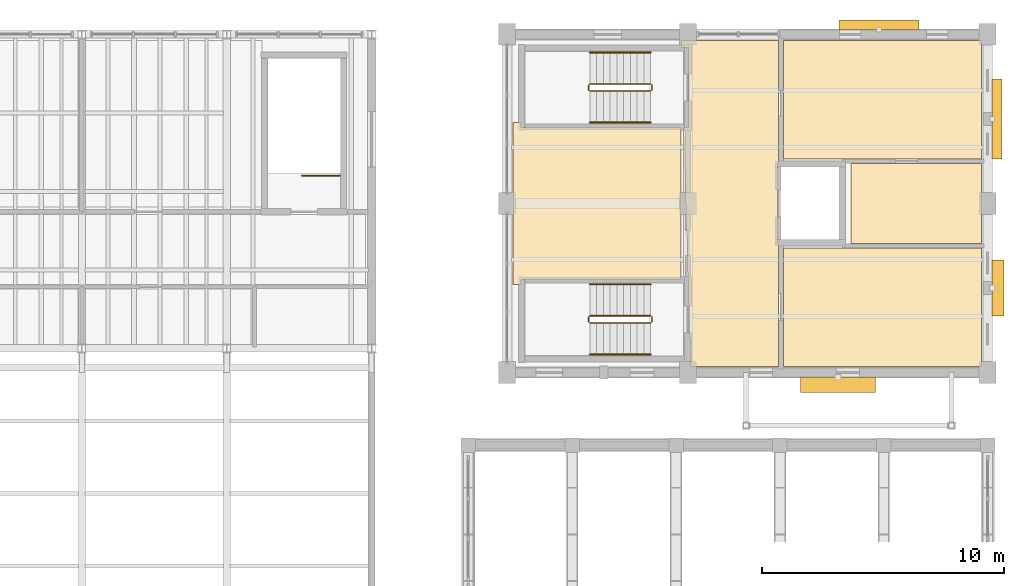
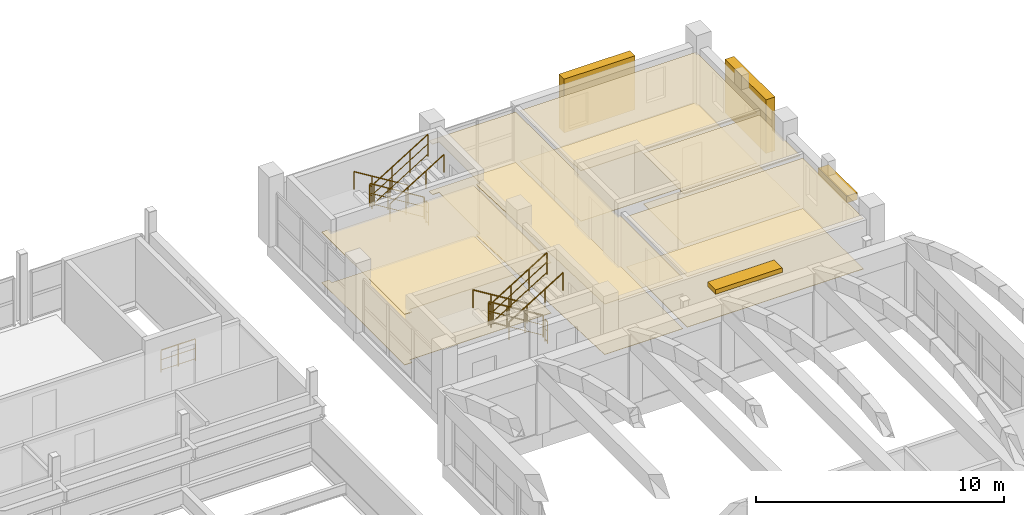
# One storey, part 77 of 77: 13 railings, 10 coverings, 4 shading devices.
"""IFC4 building model written with IfcOpenShell, lengths in metres."""

from ifc_helpers import new_model, si_unit, direction, frame, origin, origin_2d, place, context, subcontext, project, spatial, polyline, rectangle, circle, outline, extrude, material, layer, layer_set, type_object, element, save


model = new_model("IFC4")

# Units and contexts
model_context = context("Model", 3, precision=1e-05, world=origin(), true_north=direction((0.0, 1.0)))
body_context = subcontext(model_context, "Body", "Model", "MODEL_VIEW")
ifc_project = project(units=[si_unit("LENGTHUNIT", "METRE"), si_unit("AREAUNIT", "SQUARE_METRE"), si_unit("VOLUMEUNIT", "CUBIC_METRE"), si_unit("PLANEANGLEUNIT", "RADIAN"), si_unit("MASSUNIT", "GRAM", prefix="KILO")], contexts=[model_context])

# Site, building, storey
site_placement = place(None, origin())
site = spatial("IfcSite", under=ifc_project, at=site_placement, CompositionType="ELEMENT")
building_placement = place(site_placement, origin())
building = spatial("IfcBuilding", under=site, at=building_placement, Name="Trellovar Central Fire Station", CompositionType="ELEMENT")
storey_placement = place(building_placement, frame((0.0, 0.0, 5.85009765625)))
storey = spatial("IfcBuildingStorey", under=building, at=storey_placement, Name="L02", CompositionType="ELEMENT", Elevation=5.85009765625)

# Coverings
ifc_material_1 = material(Name="Perforated acoustic mineral fiber ceiling tile", Category="mineral")
ifc_layer_1 = layer(ifc_material_1, 0.02490234375)
ifc_layer_set_1 = layer_set([ifc_layer_1], Name="Perforated acoustic mineral fiber ceiling tile")
covering_type_1 = type_object("IfcCoveringType", Name="COV-CLG1", PredefinedType="CEILING", material=ifc_layer_set_1)
covering_1_placement = place(storey_placement, frame((0.0, 0.0, 2.47998046875)))
element("IfcCovering", 1, at=covering_1_placement, inside=storey, type_object=covering_type_1, Name="Drill Tower Level Two Lobby suspended ceiling", PredefinedType="CEILING", context=body_context, shape_type="SweptSolid", body=[
    extrude(outline(polyline([(152.35009765625, 67.659912109375), (152.2900390625, 67.659912109375), (152.2900390625, 64.340087890625), (152.35009765625, 64.340087890625), (152.35009765625, 59.25), (148.699951171875, 59.25), (148.610107421875, 62.287109375), (148.610107421875, 62.860107421875), (148.593017578125, 62.860107421875), (148.406982421875, 69.139892578125), (148.610107421875, 69.139892578125), (148.610107421875, 72.4599609375), (148.30908203125, 72.4599609375), (148.300048828125, 72.75), (152.35009765625, 72.75), (152.35009765625, 67.659912109375)])), origin(), (0.0, 0.0, 1.0), 0.02490234375),
])
covering_2_placement = place(storey_placement, frame((0.0, 0.0, 2.47998046875)))
element("IfcCovering", 2, at=covering_2_placement, inside=storey, type_object=covering_type_1, Name="Standpipe Connection Training Room suspended ceiling", PredefinedType="CEILING", context=body_context, shape_type="SweptSolid", body=[
    extrude(outline(polyline([(141.68994140625, 69.35009765625), (141.68994140625, 69.139892578125), (148.300048828125, 69.139892578125), (148.300048828125, 62.860107421875), (141.68994140625, 62.860107421875), (141.68994140625, 62.64990234375), (141.35009765625, 62.64990234375), (141.35009765625, 69.35009765625), (141.68994140625, 69.35009765625)])), origin(), (0.0, 0.0, 1.0), 0.02490234375),
])
covering_3_placement = place(storey_placement, frame((0.0, 0.0, 2.47998046875)))
element("IfcCovering", 3, at=covering_3_placement, inside=storey, type_object=covering_type_1, Name="Search Maze Evolution Deck suspended ceiling", PredefinedType="CEILING", context=body_context, shape_type="SweptSolid", body=[
    extrude(outline(polyline([(160.75, 64.14990234375), (160.75, 59.25), (152.550048828125, 59.25), (152.550048828125, 64.14990234375), (160.75, 64.14990234375)])), origin(), (0.0, 0.0, 1.0), 0.02490234375),
])
covering_4_placement = place(storey_placement, frame((0.0, 0.0, 2.47998046875)))
element("IfcCovering", 4, at=covering_4_placement, inside=storey, type_object=covering_type_1, Name="Hose Drying Shaft Gallery L02 suspended ceiling", PredefinedType="CEILING", context=body_context, shape_type="SweptSolid", body=[
    extrude(outline(polyline([(160.75, 72.75), (160.75, 67.85009765625), (152.550048828125, 67.85009765625), (152.550048828125, 72.75), (160.75, 72.75)])), origin(), (0.0, 0.0, 1.0), 0.02490234375),
])
ifc_material_2 = material(Name="Moisture-resistant gypsum ceiling board", Category="gypsum")
ifc_layer_2 = layer(ifc_material_2, 0.030029296875)
ifc_layer_set_2 = layer_set([ifc_layer_2], Name="Moisture-resistant gypsum ceiling board")
covering_type_2 = type_object("IfcCoveringType", Name="COV-CLG2", PredefinedType="CEILING", material=ifc_layer_set_2)
covering_5_placement = place(storey_placement, frame((0.0, 0.0, 2.47998046875)))
element("IfcCovering", 5, at=covering_5_placement, inside=storey, type_object=covering_type_2, Name="Tower Level Two Restroom suspended ceiling", PredefinedType="CEILING", context=body_context, shape_type="SweptSolid", body=[
    extrude(outline(polyline([(160.75, 67.64990234375), (160.75, 64.35009765625), (155.35009765625, 64.35009765625), (155.35009765625, 67.64990234375), (160.75, 67.64990234375)])), origin(), (0.0, 0.0, 1.0), 0.030029296875),
])
ifc_material_3 = material(Name="Vitrified Catalan ceramic floor tile", Category="masonry")
ifc_layer_3 = layer(ifc_material_3, 0.01806640625)
ifc_layer_set_3 = layer_set([ifc_layer_3], Name="Vitrified Catalan ceramic floor tile")
covering_type_3 = type_object("IfcCoveringType", Name="COV-FLR2", PredefinedType="FLOORING", material=ifc_layer_set_3)
covering_6_placement = place(storey_placement, origin())
element("IfcCovering", 6, at=covering_6_placement, inside=storey, type_object=covering_type_3, Name="Drill Tower Level Two Lobby floor finish", PredefinedType="FLOORING", context=body_context, shape_type="SweptSolid", body=[
    extrude(outline(polyline([(152.35009765625, 67.659912109375), (152.2900390625, 67.659912109375), (152.2900390625, 64.340087890625), (152.35009765625, 64.340087890625), (152.35009765625, 59.25), (148.699951171875, 59.25), (148.610107421875, 62.287109375), (148.610107421875, 62.860107421875), (148.593017578125, 62.860107421875), (148.406982421875, 69.139892578125), (148.610107421875, 69.139892578125), (148.610107421875, 72.4599609375), (148.30908203125, 72.4599609375), (148.300048828125, 72.75), (152.35009765625, 72.75), (152.35009765625, 67.659912109375)])), origin(), (0.0, 0.0, 1.0), 0.017822265625),
])
covering_7_placement = place(storey_placement, origin())
element("IfcCovering", 7, at=covering_7_placement, inside=storey, type_object=covering_type_3, Name="Hose Drying Shaft Gallery L02 floor finish", PredefinedType="FLOORING", context=body_context, shape_type="SweptSolid", body=[
    extrude(outline(polyline([(160.75, 72.75), (160.75, 67.85009765625), (152.550048828125, 67.85009765625), (152.550048828125, 72.75), (160.75, 72.75)])), origin(), (0.0, 0.0, 1.0), 0.017822265625),
])
covering_8_placement = place(storey_placement, origin())
element("IfcCovering", 8, at=covering_8_placement, inside=storey, type_object=covering_type_3, Name="Tower Level Two Restroom floor finish", PredefinedType="FLOORING", context=body_context, shape_type="SweptSolid", body=[
    extrude(outline(polyline([(160.75, 67.64990234375), (160.75, 64.35009765625), (155.35009765625, 64.35009765625), (155.35009765625, 67.64990234375), (160.75, 67.64990234375)])), origin(), (0.0, 0.0, 1.0), 0.017822265625),
])
ifc_material_4 = material(Name="Resilient athletic impact rubber flooring", Category="finish")
ifc_layer_4 = layer(ifc_material_4, 0.02001953125)
ifc_layer_set_4 = layer_set([ifc_layer_4], Name="Resilient athletic impact rubber flooring")
covering_type_4 = type_object("IfcCoveringType", Name="COV-FLR3", PredefinedType="FLOORING", material=ifc_layer_set_4)
covering_9_placement = place(storey_placement, origin())
element("IfcCovering", 9, at=covering_9_placement, inside=storey, type_object=covering_type_4, Name="Standpipe Connection Training Room floor finish", PredefinedType="FLOORING", context=body_context, shape_type="SweptSolid", body=[
    extrude(outline(polyline([(141.68994140625, 69.35009765625), (141.68994140625, 69.139892578125), (148.300048828125, 69.139892578125), (148.300048828125, 62.860107421875), (141.68994140625, 62.860107421875), (141.68994140625, 62.64990234375), (141.35009765625, 62.64990234375), (141.35009765625, 69.35009765625), (141.68994140625, 69.35009765625)])), origin(), (0.0, 0.0, 1.0), 0.02001953125),
])
covering_10_placement = place(storey_placement, origin())
element("IfcCovering", 10, at=covering_10_placement, inside=storey, type_object=covering_type_4, Name="Search Maze Evolution Deck floor finish", PredefinedType="FLOORING", context=body_context, shape_type="SweptSolid", body=[
    extrude(outline(polyline([(160.75, 64.14990234375), (160.75, 59.25), (152.550048828125, 59.25), (152.550048828125, 64.14990234375), (160.75, 64.14990234375)])), origin(), (0.0, 0.0, 1.0), 0.02001953125),
])

# Railings
ifc_material_5 = material(Name="Patina bronze wrought metalwork", Category="metal")
ifc_layer_5 = layer(ifc_material_5, 0.048095703125)
ifc_layer_set_5 = layer_set([ifc_layer_5], Name="Patina bronze wrought metalwork")
railing_type_1 = type_object("IfcRailingType", Name="RL-STAIR", PredefinedType="HANDRAIL", material=ifc_layer_set_5)
railing_1_placement = place(storey_placement, frame((147.050048828125, 62.64990234375, 0.17236328125)))
element("IfcRailing", 11, at=railing_1_placement, inside=storey, type_object=railing_type_1, Name="L02 ST-05 stair handrail 1", PredefinedType="HANDRAIL", context=body_context, shape_type="SweptSolid", body=[
    extrude(circle(Radius=0.02392578125, at=origin_2d()), frame((0.0, 0.0, 0.8759765625), z_axis=(-0.851400495292, 0.0, 0.524516154772), x_axis=(0.0, -1.0, 0.0)), (0.0, 0.0, 1.0), 2.9599609375),
    extrude(circle(Radius=0.02099609375, at=origin_2d()), origin(), (0.0, 0.0, 1.0), 0.851806640625),
    extrude(circle(Radius=0.02099609375, at=origin_2d()), frame((-0.840087890625, 0.0, 0.517578125)), (0.0, 0.0, 1.0), 0.851806640625),
    extrude(circle(Radius=0.02099609375, at=origin_2d()), frame((-1.679931640625, 0.0, 1.034912109375)), (0.0, 0.0, 1.0), 0.851806640625),
    extrude(circle(Radius=0.02099609375, at=origin_2d()), frame((-2.52001953125, 0.0, 1.552490234375)), (0.0, 0.0, 1.0), 0.851806640625),
])
railing_2_placement = place(storey_placement, frame((144.530029296875, 59.75, 1.8974609375)))
element("IfcRailing", 12, at=railing_2_placement, inside=storey, type_object=railing_type_1, Name="L02 ST-05 stair handrail 2", PredefinedType="HANDRAIL", context=body_context, shape_type="SweptSolid", body=[
    extrude(circle(Radius=0.02392578125, at=origin_2d()), frame((0.0, 0.0, 0.8759765625), z_axis=(0.851400495292, 0.0, 0.524516154772), x_axis=(0.0, 1.0, 0.0)), (0.0, 0.0, 1.0), 2.9599609375),
    extrude(circle(Radius=0.02099609375, at=origin_2d()), origin(), (0.0, 0.0, 1.0), 0.851806640625),
    extrude(circle(Radius=0.02099609375, at=origin_2d()), frame((0.840087890625, 0.0, 0.517578125)), (0.0, 0.0, 1.0), 0.851806640625),
    extrude(circle(Radius=0.02099609375, at=origin_2d()), frame((1.679931640625, 0.0, 1.034912109375)), (0.0, 0.0, 1.0), 0.851806640625),
    extrude(circle(Radius=0.02099609375, at=origin_2d()), frame((2.52001953125, 0.0, 1.552490234375)), (0.0, 0.0, 1.0), 0.851806640625),
])
railing_3_placement = place(storey_placement, frame((147.050048828125, 72.25, 0.17236328125)))
element("IfcRailing", 13, at=railing_3_placement, inside=storey, type_object=railing_type_1, Name="L02 ST-06 stair handrail 1", PredefinedType="HANDRAIL", context=body_context, shape_type="SweptSolid", body=[
    extrude(circle(Radius=0.02392578125, at=origin_2d()), frame((0.0, 0.0, 0.8759765625), z_axis=(-0.851400495292, 0.0, 0.524516154772), x_axis=(0.0, -1.0, 0.0)), (0.0, 0.0, 1.0), 2.9599609375),
    extrude(circle(Radius=0.02099609375, at=origin_2d()), origin(), (0.0, 0.0, 1.0), 0.851806640625),
    extrude(circle(Radius=0.02099609375, at=origin_2d()), frame((-0.840087890625, 0.0, 0.517578125)), (0.0, 0.0, 1.0), 0.851806640625),
    extrude(circle(Radius=0.02099609375, at=origin_2d()), frame((-1.679931640625, 0.0, 1.034912109375)), (0.0, 0.0, 1.0), 0.851806640625),
    extrude(circle(Radius=0.02099609375, at=origin_2d()), frame((-2.52001953125, 0.0, 1.552490234375)), (0.0, 0.0, 1.0), 0.851806640625),
])
railing_4_placement = place(storey_placement, frame((144.530029296875, 69.35009765625, 1.8974609375)))
element("IfcRailing", 14, at=railing_4_placement, inside=storey, type_object=railing_type_1, Name="L02 ST-06 stair handrail 2", PredefinedType="HANDRAIL", context=body_context, shape_type="SweptSolid", body=[
    extrude(circle(Radius=0.02392578125, at=origin_2d()), frame((0.0, 0.0, 0.8759765625), z_axis=(0.851400495292, 0.0, 0.524516154772), x_axis=(0.0, 1.0, 0.0)), (0.0, 0.0, 1.0), 2.9599609375),
    extrude(circle(Radius=0.02099609375, at=origin_2d()), origin(), (0.0, 0.0, 1.0), 0.851806640625),
    extrude(circle(Radius=0.02099609375, at=origin_2d()), frame((0.840087890625, 0.0, 0.517578125)), (0.0, 0.0, 1.0), 0.851806640625),
    extrude(circle(Radius=0.02099609375, at=origin_2d()), frame((1.679931640625, 0.0, 1.034912109375)), (0.0, 0.0, 1.0), 0.851806640625),
    extrude(circle(Radius=0.02099609375, at=origin_2d()), frame((2.52001953125, 0.0, 1.552490234375)), (0.0, 0.0, 1.0), 0.851806640625),
])
ifc_material_6 = material(Name="Patina bronze wrought metalwork", Category="metal")
ifc_layer_6 = layer(ifc_material_6, 0.050048828125)
ifc_layer_set_6 = layer_set([ifc_layer_6], Name="Patina bronze wrought metalwork")
railing_type_2 = type_object("IfcRailingType", Name="RL-STGUARD", PredefinedType="GUARDRAIL", material=ifc_layer_set_6)
railing_5_placement = place(storey_placement, frame((147.050048828125, 61.35009765625, 0.17236328125)))
element("IfcRailing", 15, at=railing_5_placement, inside=storey, type_object=railing_type_2, Name="L02 ST-05 stair guard 1", PredefinedType="GUARDRAIL", context=body_context, shape_type="SweptSolid", body=[
    extrude(circle(Radius=0.02392578125, at=origin_2d()), frame((0.0, 0.0, 1.076171875), z_axis=(-0.851400495292, 0.0, 0.524516154772), x_axis=(0.0, -1.0, 0.0)), (0.0, 0.0, 1.0), 2.9599609375),
    extrude(circle(Radius=0.015625, at=origin_2d()), frame((0.0, 0.0, 0.10009765625), z_axis=(-0.851400495292, 0.0, 0.524516154772), x_axis=(0.0, -1.0, 0.0)), (0.0, 0.0, 1.0), 2.9599609375),
    extrude(circle(Radius=0.015625, at=origin_2d()), frame((0.0, 0.0, 0.60498046875), z_axis=(-0.851400495292, 0.0, 0.524516154772), x_axis=(0.0, -1.0, 0.0)), (0.0, 0.0, 1.0), 2.9599609375),
    extrude(circle(Radius=0.02099609375, at=origin_2d()), origin(), (0.0, 0.0, 1.0), 1.052001953125),
    extrude(circle(Radius=0.02099609375, at=origin_2d()), frame((-0.840087890625, 0.0, 0.517578125)), (0.0, 0.0, 1.0), 1.052001953125),
    extrude(circle(Radius=0.02099609375, at=origin_2d()), frame((-1.679931640625, 0.0, 1.034912109375)), (0.0, 0.0, 1.0), 1.052001953125),
    extrude(circle(Radius=0.02099609375, at=origin_2d()), frame((-2.52001953125, 0.0, 1.552490234375)), (0.0, 0.0, 1.0), 1.052001953125),
])
railing_6_placement = place(storey_placement, frame((144.47998046875, 61.300048828125, 1.724853515625)))
element("IfcRailing", 16, at=railing_6_placement, inside=storey, type_object=railing_type_2, Name="L02 ST-05 stair guard 2", PredefinedType="GUARDRAIL", context=body_context, shape_type="SweptSolid", body=[
    extrude(circle(Radius=0.02392578125, at=origin_2d()), frame((0.0, 0.0, 1.076171875), z_axis=(0.0, -1.0, 0.0), x_axis=(1.0, 0.0, 0.0)), (0.0, 0.0, 1.0), 0.199951171875),
    extrude(circle(Radius=0.015625, at=origin_2d()), frame((0.0, 0.0, 0.10009765625), z_axis=(0.0, -1.0, 0.0), x_axis=(1.0, 0.0, 0.0)), (0.0, 0.0, 1.0), 0.199951171875),
    extrude(circle(Radius=0.015625, at=origin_2d()), frame((0.0, 0.0, 0.60498046875), z_axis=(0.0, -1.0, 0.0), x_axis=(1.0, 0.0, 0.0)), (0.0, 0.0, 1.0), 0.199951171875),
    extrude(circle(Radius=0.02099609375, at=origin_2d()), origin(), (0.0, 0.0, 1.0), 1.052001953125),
    extrude(circle(Radius=0.02099609375, at=origin_2d()), frame((0.0, -0.199951171875, 0.0)), (0.0, 0.0, 1.0), 1.052001953125),
])
railing_7_placement = place(storey_placement, frame((144.530029296875, 61.050048828125, 1.8974609375)))
element("IfcRailing", 17, at=railing_7_placement, inside=storey, type_object=railing_type_2, Name="L02 ST-05 stair guard 3", PredefinedType="GUARDRAIL", context=body_context, shape_type="SweptSolid", body=[
    extrude(circle(Radius=0.02392578125, at=origin_2d()), frame((0.0, 0.0, 1.076171875), z_axis=(0.851400495292, 0.0, 0.524516154772), x_axis=(0.0, 1.0, 0.0)), (0.0, 0.0, 1.0), 2.9599609375),
    extrude(circle(Radius=0.015625, at=origin_2d()), frame((0.0, 0.0, 0.10009765625), z_axis=(0.851400495292, 0.0, 0.524516154772), x_axis=(0.0, 1.0, 0.0)), (0.0, 0.0, 1.0), 2.9599609375),
    extrude(circle(Radius=0.015625, at=origin_2d()), frame((0.0, 0.0, 0.60498046875), z_axis=(0.851400495292, 0.0, 0.524516154772), x_axis=(0.0, 1.0, 0.0)), (0.0, 0.0, 1.0), 2.9599609375),
    extrude(circle(Radius=0.02099609375, at=origin_2d()), origin(), (0.0, 0.0, 1.0), 1.052001953125),
    extrude(circle(Radius=0.02099609375, at=origin_2d()), frame((0.840087890625, 0.0, 0.517578125)), (0.0, 0.0, 1.0), 1.052001953125),
    extrude(circle(Radius=0.02099609375, at=origin_2d()), frame((1.679931640625, 0.0, 1.034912109375)), (0.0, 0.0, 1.0), 1.052001953125),
    extrude(circle(Radius=0.02099609375, at=origin_2d()), frame((2.52001953125, 0.0, 1.552490234375)), (0.0, 0.0, 1.0), 1.052001953125),
])
railing_8_placement = place(storey_placement, frame((147.10009765625, 61.300048828125, 0.0)))
element("IfcRailing", 18, at=railing_8_placement, inside=storey, type_object=railing_type_2, Name="L02 ST-05 stair guard 4", PredefinedType="GUARDRAIL", context=body_context, shape_type="SweptSolid", body=[
    extrude(circle(Radius=0.02392578125, at=origin_2d()), frame((0.0, 0.0, 1.076171875), z_axis=(0.0, -1.0, 0.0), x_axis=(1.0, 0.0, 0.0)), (0.0, 0.0, 1.0), 0.199951171875),
    extrude(circle(Radius=0.015625, at=origin_2d()), frame((0.0, 0.0, 0.10009765625), z_axis=(0.0, -1.0, 0.0), x_axis=(1.0, 0.0, 0.0)), (0.0, 0.0, 1.0), 0.199951171875),
    extrude(circle(Radius=0.015625, at=origin_2d()), frame((0.0, 0.0, 0.60498046875), z_axis=(0.0, -1.0, 0.0), x_axis=(1.0, 0.0, 0.0)), (0.0, 0.0, 1.0), 0.199951171875),
    extrude(circle(Radius=0.02099609375, at=origin_2d()), origin(), (0.0, 0.0, 1.0), 1.052001953125),
    extrude(circle(Radius=0.02099609375, at=origin_2d()), frame((0.0, -0.199951171875, 0.0)), (0.0, 0.0, 1.0), 1.052001953125),
])
railing_9_placement = place(storey_placement, frame((147.050048828125, 70.949951171875, 0.17236328125)))
element("IfcRailing", 19, at=railing_9_placement, inside=storey, type_object=railing_type_2, Name="L02 ST-06 stair guard 1", PredefinedType="GUARDRAIL", context=body_context, shape_type="SweptSolid", body=[
    extrude(circle(Radius=0.02392578125, at=origin_2d()), frame((0.0, 0.0, 1.076171875), z_axis=(-0.851400495292, 0.0, 0.524516154772), x_axis=(0.0, -1.0, 0.0)), (0.0, 0.0, 1.0), 2.9599609375),
    extrude(circle(Radius=0.015625, at=origin_2d()), frame((0.0, 0.0, 0.10009765625), z_axis=(-0.851400495292, 0.0, 0.524516154772), x_axis=(0.0, -1.0, 0.0)), (0.0, 0.0, 1.0), 2.9599609375),
    extrude(circle(Radius=0.015625, at=origin_2d()), frame((0.0, 0.0, 0.60498046875), z_axis=(-0.851400495292, 0.0, 0.524516154772), x_axis=(0.0, -1.0, 0.0)), (0.0, 0.0, 1.0), 2.9599609375),
    extrude(circle(Radius=0.02099609375, at=origin_2d()), origin(), (0.0, 0.0, 1.0), 1.052001953125),
    extrude(circle(Radius=0.02099609375, at=origin_2d()), frame((-0.840087890625, 0.0, 0.517578125)), (0.0, 0.0, 1.0), 1.052001953125),
    extrude(circle(Radius=0.02099609375, at=origin_2d()), frame((-1.679931640625, 0.0, 1.034912109375)), (0.0, 0.0, 1.0), 1.052001953125),
    extrude(circle(Radius=0.02099609375, at=origin_2d()), frame((-2.52001953125, 0.0, 1.552490234375)), (0.0, 0.0, 1.0), 1.052001953125),
])
railing_10_placement = place(storey_placement, frame((144.47998046875, 70.89990234375, 1.724853515625)))
element("IfcRailing", 20, at=railing_10_placement, inside=storey, type_object=railing_type_2, Name="L02 ST-06 stair guard 2", PredefinedType="GUARDRAIL", context=body_context, shape_type="SweptSolid", body=[
    extrude(circle(Radius=0.02392578125, at=origin_2d()), frame((0.0, 0.0, 1.076171875), z_axis=(0.0, -1.0, 0.0), x_axis=(1.0, 0.0, 0.0)), (0.0, 0.0, 1.0), 0.199951171875),
    extrude(circle(Radius=0.015625, at=origin_2d()), frame((0.0, 0.0, 0.10009765625), z_axis=(0.0, -1.0, 0.0), x_axis=(1.0, 0.0, 0.0)), (0.0, 0.0, 1.0), 0.199951171875),
    extrude(circle(Radius=0.015625, at=origin_2d()), frame((0.0, 0.0, 0.60498046875), z_axis=(0.0, -1.0, 0.0), x_axis=(1.0, 0.0, 0.0)), (0.0, 0.0, 1.0), 0.199951171875),
    extrude(circle(Radius=0.02099609375, at=origin_2d()), origin(), (0.0, 0.0, 1.0), 1.052001953125),
    extrude(circle(Radius=0.02099609375, at=origin_2d()), frame((0.0, -0.199951171875, 0.0)), (0.0, 0.0, 1.0), 1.052001953125),
])
railing_11_placement = place(storey_placement, frame((144.530029296875, 70.64990234375, 1.8974609375)))
element("IfcRailing", 21, at=railing_11_placement, inside=storey, type_object=railing_type_2, Name="L02 ST-06 stair guard 3", PredefinedType="GUARDRAIL", context=body_context, shape_type="SweptSolid", body=[
    extrude(circle(Radius=0.02392578125, at=origin_2d()), frame((0.0, 0.0, 1.076171875), z_axis=(0.851400495292, 0.0, 0.524516154772), x_axis=(0.0, 1.0, 0.0)), (0.0, 0.0, 1.0), 2.9599609375),
    extrude(circle(Radius=0.015625, at=origin_2d()), frame((0.0, 0.0, 0.10009765625), z_axis=(0.851400495292, 0.0, 0.524516154772), x_axis=(0.0, 1.0, 0.0)), (0.0, 0.0, 1.0), 2.9599609375),
    extrude(circle(Radius=0.015625, at=origin_2d()), frame((0.0, 0.0, 0.60498046875), z_axis=(0.851400495292, 0.0, 0.524516154772), x_axis=(0.0, 1.0, 0.0)), (0.0, 0.0, 1.0), 2.9599609375),
    extrude(circle(Radius=0.02099609375, at=origin_2d()), origin(), (0.0, 0.0, 1.0), 1.052001953125),
    extrude(circle(Radius=0.02099609375, at=origin_2d()), frame((0.840087890625, 0.0, 0.517578125)), (0.0, 0.0, 1.0), 1.052001953125),
    extrude(circle(Radius=0.02099609375, at=origin_2d()), frame((1.679931640625, 0.0, 1.034912109375)), (0.0, 0.0, 1.0), 1.052001953125),
    extrude(circle(Radius=0.02099609375, at=origin_2d()), frame((2.52001953125, 0.0, 1.552490234375)), (0.0, 0.0, 1.0), 1.052001953125),
])
railing_12_placement = place(storey_placement, frame((147.10009765625, 70.89990234375, 0.0)))
element("IfcRailing", 22, at=railing_12_placement, inside=storey, type_object=railing_type_2, Name="L02 ST-06 stair guard 4", PredefinedType="GUARDRAIL", context=body_context, shape_type="SweptSolid", body=[
    extrude(circle(Radius=0.02392578125, at=origin_2d()), frame((0.0, 0.0, 1.076171875), z_axis=(0.0, -1.0, 0.0), x_axis=(1.0, 0.0, 0.0)), (0.0, 0.0, 1.0), 0.199951171875),
    extrude(circle(Radius=0.015625, at=origin_2d()), frame((0.0, 0.0, 0.10009765625), z_axis=(0.0, -1.0, 0.0), x_axis=(1.0, 0.0, 0.0)), (0.0, 0.0, 1.0), 0.199951171875),
    extrude(circle(Radius=0.015625, at=origin_2d()), frame((0.0, 0.0, 0.60498046875), z_axis=(0.0, -1.0, 0.0), x_axis=(1.0, 0.0, 0.0)), (0.0, 0.0, 1.0), 0.199951171875),
    extrude(circle(Radius=0.02099609375, at=origin_2d()), origin(), (0.0, 0.0, 1.0), 1.052001953125),
    extrude(circle(Radius=0.02099609375, at=origin_2d()), frame((0.0, -0.199951171875, 0.0)), (0.0, 0.0, 1.0), 1.052001953125),
])
railing_13_placement = place(storey_placement, frame((134.199951171875, 67.14990234375, 0.0)))
element("IfcRailing", 23, at=railing_13_placement, inside=storey, type_object=railing_type_2, Name="L02 ST-08 top well guard 1", PredefinedType="GUARDRAIL", context=body_context, shape_type="SweptSolid", body=[
    extrude(circle(Radius=0.02392578125, at=origin_2d()), frame((0.0, 0.0, 1.076171875), z_axis=(-1.0, 0.0, 0.0), x_axis=(0.0, -1.0, 0.0)), (0.0, 0.0, 1.0), 1.599853515625),
    extrude(circle(Radius=0.015625, at=origin_2d()), frame((0.0, 0.0, 0.10009765625), z_axis=(-1.0, 0.0, 0.0), x_axis=(0.0, -1.0, 0.0)), (0.0, 0.0, 1.0), 1.599853515625),
    extrude(circle(Radius=0.015625, at=origin_2d()), frame((0.0, 0.0, 0.60498046875), z_axis=(-1.0, 0.0, 0.0), x_axis=(0.0, -1.0, 0.0)), (0.0, 0.0, 1.0), 1.599853515625),
    extrude(circle(Radius=0.02099609375, at=origin_2d()), origin(), (0.0, 0.0, 1.0), 1.052001953125),
    extrude(circle(Radius=0.02099609375, at=origin_2d()), frame((-0.7998046875, 0.0, 0.0)), (0.0, 0.0, 1.0), 1.052001953125),
    extrude(circle(Radius=0.02099609375, at=origin_2d()), frame((-1.599853515625, 0.0, 0.0)), (0.0, 0.0, 1.0), 1.052001953125),
])

# Shading devices
ifc_material_7 = material(Name="Glazed ceramic trencadis and terracotta panel", Category="masonry")
shading_device_type_1 = type_object("IfcShadingDeviceType", Name="SHD-LV1", PredefinedType="JALOUSIE", material=ifc_material_7)
shading_device_1_placement = place(storey_placement, frame((161.425048828125, 62.5, 1.830078125), z_axis=(0.0, 0.0, 1.0), x_axis=(0.0, 1.0, 0.0)))
element("IfcShadingDevice", 24, at=shading_device_1_placement, inside=storey, type_object=shading_device_type_1, Name="L02 Catalan solar brise-soleil LV-1", PredefinedType="JALOUSIE", context=body_context, shape_type="SweptSolid", body=[
    extrude(rectangle(XDim=2.300048828125, YDim=0.5, at=origin_2d()), origin(), (0.0, 0.0, 1.0), 0.340087890625),
])
ifc_material_8 = material(Name="Glazed ceramic trencadis and terracotta panel", Category="masonry")
shading_device_type_2 = type_object("IfcShadingDeviceType", Name="SHD-LV3", PredefinedType="JALOUSIE", material=ifc_material_8)
for number, where, z_axis, x_axis, name in (
    (25, (156.5, 73.385009765625, 0.324951171875), (0.0, 0.0, 1.0), (1.0, 0.0, 0.0), "L02 Catalan solar brise-soleil LV-3"),
    (26, (161.385009765625, 69.5, 0.324951171875), (0.0, 0.0, 1.0), (0.0, 1.0, 0.0), "L02 Catalan solar brise-soleil LV-3"),
):
    element("IfcShadingDevice", number, at=place(storey_placement, frame(where, z_axis=z_axis, x_axis=x_axis)), inside=storey, type_object=shading_device_type_2, Name=name, PredefinedType="JALOUSIE", context=body_context, shape_type="SweptSolid", body=[
        extrude(rectangle(XDim=3.300048828125, YDim=0.419921875, at=origin_2d()), origin(), (0.0, 0.0, 1.0), 2.64990234375),
    ])
ifc_material_9 = material(Name="Patina bronze wrought metalwork", Category="metal")
shading_device_type_3 = type_object("IfcShadingDeviceType", Name="SHD-LV4", PredefinedType="AWNING", material=ifc_material_9)
shading_device_2_placement = place(storey_placement, frame((154.800048828125, 58.5, 2.0400390625), z_axis=(0.0, 0.0, 1.0), x_axis=(1.0, 0.0, 0.0)))
element("IfcShadingDevice", 27, at=shading_device_2_placement, inside=storey, type_object=shading_device_type_3, Name="L02 Catalan solar brise-soleil LV-4", PredefinedType="AWNING", context=body_context, shape_type="SweptSolid", body=[
    extrude(rectangle(XDim=3.10009765625, YDim=0.64990234375, at=origin_2d()), origin(), (0.0, 0.0, 1.0), 0.219970703125),
])

save(model, "model.ifc")
